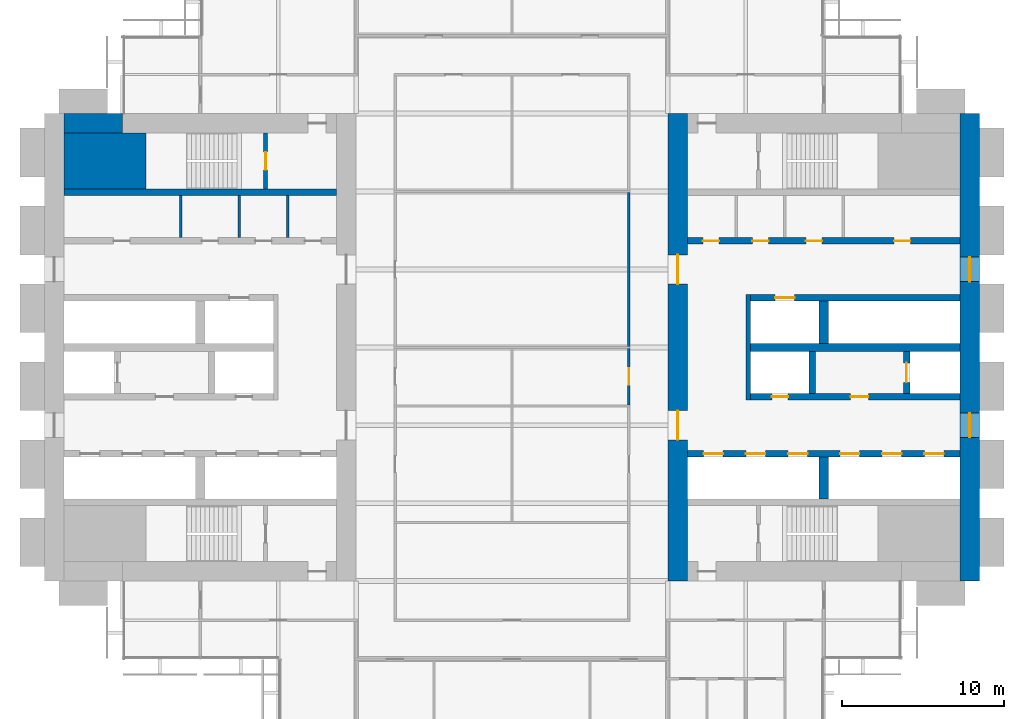
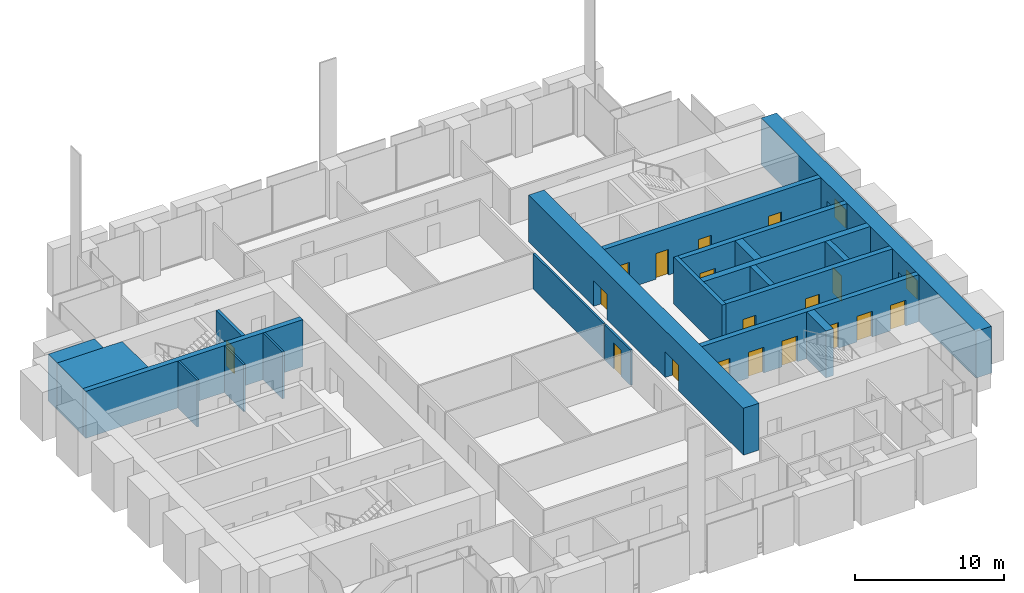
# One storey, part 11 of 14: 21 walls, 18 doors, 2 windows, 20 openings.
"""IFC4 building model written with IfcOpenShell, lengths in metres."""

from ifc_helpers import new_model, si_unit, direction, frame, frame_2d, origin, place, context, subcontext, project, spatial, rectangle, extrude, material, layer, layer_set, type_object, element, fill, save


model = new_model("IFC4")

# Units and contexts
model_context = context("Model", 3, precision=1e-05, world=origin(), true_north=direction((0.0, 1.0)))
body_context = subcontext(model_context, "Body", "Model", "MODEL_VIEW")
ifc_project = project(units=[si_unit("LENGTHUNIT", "METRE"), si_unit("AREAUNIT", "SQUARE_METRE"), si_unit("VOLUMEUNIT", "CUBIC_METRE"), si_unit("PLANEANGLEUNIT", "RADIAN"), si_unit("MASSUNIT", "GRAM", prefix="KILO")], contexts=[model_context])

# Site, building, storey
site_placement = place(None, origin())
site = spatial("IfcSite", under=ifc_project, at=site_placement, CompositionType="ELEMENT")
building_placement = place(site_placement, origin())
building = spatial("IfcBuilding", under=site, at=building_placement, Name="Baori Bourse Tower", CompositionType="ELEMENT")
storey_placement = place(building_placement, frame((0.0, 0.0, 51.0)))
storey = spatial("IfcBuildingStorey", under=building, at=storey_placement, Name="L10", CompositionType="ELEMENT", Elevation=51.0)

# Walls
ifc_material_1 = material(Name="Concrete f'c 70 MPa", Category="concrete")
wall_type_1 = type_object("IfcWallType", Name="Core corner block f'c 70", PredefinedType="SHEAR", material=ifc_material_1)
wall_1_placement = place(storey_placement, frame((1.199951171875, 35.47509765625, 0.0), z_axis=(0.0, 0.0, 1.0), x_axis=(1.0, 0.0, 0.0)))
element("IfcWall", 1, at=wall_1_placement, inside=storey, type_object=wall_type_1, Name="Core wall W22", PredefinedType="SHEAR", context=body_context, shape_type="SweptSolid", body=[
    extrude(rectangle(XDim=5.050048828125, YDim=3.449951171875, at=frame_2d((2.52490234375, 0.0))), origin(), (0.0, 0.0, 1.0), 3.840087890625),
])
ifc_material_2 = material(Name="Blockwork partition", Category="masonry")
ifc_layer_1 = layer(ifc_material_2, 0.14990234375)
ifc_layer_set_1 = layer_set([ifc_layer_1], Name="Core partition 150")
wall_type_2 = type_object("IfcWallType", Name="Core partition 150", PredefinedType="PARTITIONING", material=ifc_layer_set_1)
for number, where, z_axis, x_axis, name in (
    (2, (8.39990234375, 30.75, 0.0), (0.0, 0.0, 1.0), (0.0, 1.0, 0.0), "Partition wall W18"),
    (3, (12.0, 30.75, 0.0), (0.0, 0.0, 1.0), (0.0, 1.0, 0.0), "Partition wall W19"),
    (4, (15.0, 30.75, 0.0), (0.0, 0.0, 1.0), (0.0, 1.0, 0.0), "Partition wall W20"),
):
    element("IfcWall", number, at=place(storey_placement, frame(where, z_axis=z_axis, x_axis=x_axis)), inside=storey, type_object=wall_type_2, Name=name, PredefinedType="PARTITIONING", context=body_context, shape_type="SweptSolid", body=[
        extrude(rectangle(XDim=2.60009765625, YDim=0.14990234375, at=frame_2d((1.300048828125, 0.0))), origin(), (0.0, 0.0, 1.0), 3.840087890625),
    ])
ifc_material_3 = material(Name="Concrete f'c 70 MPa", Category="concrete")
ifc_layer_2 = layer(ifc_material_3, 1.199951171875)
ifc_layer_set_2 = layer_set([ifc_layer_2], Name="Core wall 1200 f'c 70")
wall_type_3 = type_object("IfcWallType", Name="Core wall 1200 f'c 70", PredefinedType="SHEAR", material=ifc_layer_set_2)
wall_2_placement = place(storey_placement, frame((1.199951171875, 37.800048828125, 0.0), z_axis=(0.0, 0.0, 1.0), x_axis=(1.0, 0.0, 0.0)))
element("IfcWall", 5, at=wall_2_placement, inside=storey, type_object=wall_type_3, Name="Core wall W24", PredefinedType="SHEAR", context=body_context, shape_type="SweptSolid", body=[
    extrude(rectangle(XDim=3.60009765625, YDim=1.199951171875, at=frame_2d((1.800048828125, 0.0))), origin(), (0.0, 0.0, 1.0), 3.840087890625),
])

# Wall, openings, windows
wall_3_placement = place(storey_placement, frame((57.0, 38.39990234375, 0.0), z_axis=(0.0, 0.0, 1.0), x_axis=(0.0, -1.0, 0.0)))
wall_3 = element("IfcWall", 6, at=wall_3_placement, inside=storey, type_object=wall_type_3, Name="Core wall E01", PredefinedType="SHEAR", context=body_context, shape_type="SweptSolid", body=[
    extrude(rectangle(XDim=28.7998046875, YDim=1.199951171875, at=frame_2d((14.39990234375, 0.0))), origin(), (0.0, 0.0, 1.0), 3.840087890625),
])
opening_1_placement = place(wall_3_placement, frame((18.449951171875, 0.0, 0.89990234375)))
opening_1 = element("IfcOpeningElement", 7, at=opening_1_placement, cuts=wall_3, Name="Opening L10-KW201", PredefinedType="OPENING", context=body_context, shape_type="SweptSolid", body=[
    extrude(rectangle(XDim=1.5, YDim=1.5, at=frame_2d((0.75, 0.75))), frame((0.0, 0.60986328125, 0.0), z_axis=(0.0, -1.0, 0.0), x_axis=(1.0, 0.0, 0.0)), (0.0, 0.0, 1.0), 1.219970703125),
])
opening_2_placement = place(wall_3_placement, frame((8.85009765625, 0.0, 0.89990234375)))
opening_2 = element("IfcOpeningElement", 8, at=opening_2_placement, cuts=wall_3, Name="Opening L10-KW202", PredefinedType="OPENING", context=body_context, shape_type="SweptSolid", body=[
    extrude(rectangle(XDim=1.5, YDim=1.5, at=frame_2d((0.75, 0.75))), frame((0.0, 0.60986328125, 0.0), z_axis=(0.0, -1.0, 0.0), x_axis=(1.0, 0.0, 0.0)), (0.0, 0.0, 1.0), 1.219970703125),
])
ifc_material_4 = material(Name="Pale anodised aluminium", Category="aluminium")
window_type = type_object("IfcWindowType", Name="Lobby window 1500 x 1500", PartitioningType="SINGLE_PANEL", PredefinedType="WINDOW", material=ifc_material_4)
window_1_placement = place(opening_1_placement, origin())
window_1 = element("IfcWindow", 9, at=window_1_placement, inside=storey, type_object=window_type, Name="Outer wall window E L10 1", OverallHeight=1.5, OverallWidth=1.5, PartitioningType="SINGLE_PANEL", PredefinedType="WINDOW", context=body_context, shape_type="SweptSolid", body=[
    extrude(rectangle(XDim=1.5, YDim=1.5, at=frame_2d((0.75, 0.75))), frame((0.0, 0.030029296875, 0.0), z_axis=(0.0, -1.0, 0.0), x_axis=(1.0, 0.0, 0.0)), (0.0, 0.0, 1.0), 0.06005859375),
])
fill(opening_1, window_1)
window_2_placement = place(opening_2_placement, origin())
window_2 = element("IfcWindow", 10, at=window_2_placement, inside=storey, type_object=window_type, Name="Outer wall window E L10 2", OverallHeight=1.5, OverallWidth=1.5, PartitioningType="SINGLE_PANEL", PredefinedType="WINDOW", context=body_context, shape_type="SweptSolid", body=[
    extrude(rectangle(XDim=1.5, YDim=1.5, at=frame_2d((0.75, 0.75))), frame((0.0, 0.030029296875, 0.0), z_axis=(0.0, -1.0, 0.0), x_axis=(1.0, 0.0, 0.0)), (0.0, 0.0, 1.0), 0.06005859375),
])
fill(opening_2, window_2)

# Wall, openings, doors
wall_4_placement = place(storey_placement, frame((39.0, 9.60009765625, 0.0), z_axis=(0.0, 0.0, 1.0), x_axis=(0.0, 1.0, 0.0)))
wall_4 = element("IfcWall", 11, at=wall_4_placement, inside=storey, type_object=wall_type_3, Name="Core wall E04", PredefinedType="SHEAR", context=body_context, shape_type="SweptSolid", body=[
    extrude(rectangle(XDim=28.7998046875, YDim=1.199951171875, at=frame_2d((14.39990234375, 0.0))), origin(), (0.0, 0.0, 1.0), 3.840087890625),
])
opening_3_placement = place(wall_4_placement, frame((8.699951171875, 0.0, 0.0)))
opening_3 = element("IfcOpeningElement", 12, at=opening_3_placement, cuts=wall_4, Name="Opening L10-D207", PredefinedType="OPENING", context=body_context, shape_type="SweptSolid", body=[
    extrude(rectangle(XDim=1.800048828125, YDim=2.10009765625, at=frame_2d((0.89990234375, 1.050048828125))), frame((0.0, 0.60986328125, 0.0), z_axis=(0.0, -1.0, 0.0), x_axis=(1.0, 0.0, 0.0)), (0.0, 0.0, 1.0), 1.219970703125),
])
opening_4_placement = place(wall_4_placement, frame((18.300048828125, 0.0, 0.0)))
opening_4 = element("IfcOpeningElement", 13, at=opening_4_placement, cuts=wall_4, Name="Opening L10-D208", PredefinedType="OPENING", context=body_context, shape_type="SweptSolid", body=[
    extrude(rectangle(XDim=1.800048828125, YDim=2.10009765625, at=frame_2d((0.89990234375, 1.050048828125))), frame((0.0, 0.60986328125, 0.0), z_axis=(0.0, -1.0, 0.0), x_axis=(1.0, 0.0, 0.0)), (0.0, 0.0, 1.0), 1.219970703125),
])
ifc_material_5 = material(Name="Painted steel door", Category="steel")
door_type_1 = type_object("IfcDoorType", Name="Core lobby door 1800", OperationType="DOUBLE_DOOR_SINGLE_SWING", PredefinedType="DOOR", material=ifc_material_5)
door_1_placement = place(opening_3_placement, origin())
door_1 = element("IfcDoor", 14, at=door_1_placement, inside=storey, type_object=door_type_1, Name="Lobby door E L10", OperationType="DOUBLE_DOOR_SINGLE_SWING", OverallHeight=2.10009765625, OverallWidth=1.800048828125, PredefinedType="DOOR", context=body_context, shape_type="SweptSolid", body=[
    extrude(rectangle(XDim=1.800048828125, YDim=2.10009765625, at=frame_2d((0.89990234375, 1.050048828125))), frame((0.0, 0.02490234375, 0.0), z_axis=(0.0, -1.0, 0.0), x_axis=(1.0, 0.0, 0.0)), (0.0, 0.0, 1.0), 0.050048828125),
])
fill(opening_3, door_1)
door_2_placement = place(opening_4_placement, origin())
door_2 = element("IfcDoor", 15, at=door_2_placement, inside=storey, type_object=door_type_1, Name="Lobby door E L10", OperationType="DOUBLE_DOOR_SINGLE_SWING", OverallHeight=2.10009765625, OverallWidth=1.800048828125, PredefinedType="DOOR", context=body_context, shape_type="SweptSolid", body=[
    extrude(rectangle(XDim=1.800048828125, YDim=2.10009765625, at=frame_2d((0.89990234375, 1.050048828125))), frame((0.0, 0.02490234375, 0.0), z_axis=(0.0, -1.0, 0.0), x_axis=(1.0, 0.0, 0.0)), (0.0, 0.0, 1.0), 0.050048828125),
])
fill(opening_4, door_2)

# Wall, opening, door
ifc_material_6 = material(Name="Gypsum board partition")
ifc_layer_3 = layer(ifc_material_6, 0.14990234375)
ifc_layer_set_3 = layer_set([ifc_layer_3], Name="Corridor partition 150")
wall_type_4 = type_object("IfcWallType", Name="Corridor partition 150", PredefinedType="PARTITIONING", material=ifc_layer_set_3)
wall_5_placement = place(storey_placement, frame((36.0, 20.46240234375, 0.0), z_axis=(0.0, 0.0, 1.0), x_axis=(0.0, 1.0, 0.0)))
wall_5 = element("IfcWall", 16, at=wall_5_placement, inside=storey, type_object=wall_type_4, Name="Partition", PredefinedType="PARTITIONING", context=body_context, shape_type="SweptSolid", body=[
    extrude(rectangle(XDim=3.47509765625, YDim=0.14990234375, at=frame_2d((1.737548828125, 0.0))), origin(), (0.0, 0.0, 1.0), 2.86962890625),
])
opening_5_placement = place(wall_5_placement, frame((1.237548828125, 0.0, 0.0)))
opening_5 = element("IfcOpeningElement", 17, at=opening_5_placement, cuts=wall_5, Name="Opening L10-D23", PredefinedType="OPENING", context=body_context, shape_type="SweptSolid", body=[
    extrude(rectangle(XDim=1.0, YDim=2.10009765625, at=frame_2d((0.5, 1.050048828125))), frame((0.0, 0.0849609375, 0.0), z_axis=(0.0, -1.0, 0.0), x_axis=(1.0, 0.0, 0.0)), (0.0, 0.0, 1.0), 0.169921875),
])
ifc_material_7 = material(Name="Timber door leaf", Category="wood")
door_type_2 = type_object("IfcDoorType", Name="Door 1000 x 2100", OperationType="SINGLE_SWING_LEFT", PredefinedType="DOOR", material=ifc_material_7)
door_3_placement = place(opening_5_placement, origin())
door_3 = element("IfcDoor", 18, at=door_3_placement, inside=storey, type_object=door_type_2, Name="Door", OperationType="SINGLE_SWING_RIGHT", OverallHeight=2.10009765625, OverallWidth=1.0, PredefinedType="DOOR", context=body_context, shape_type="SweptSolid", body=[
    extrude(rectangle(XDim=1.0, YDim=2.10009765625, at=frame_2d((0.5, 1.050048828125))), frame((0.0, 0.02490234375, 0.0), z_axis=(0.0, -1.0, 0.0), x_axis=(1.0, 0.0, 0.0)), (0.0, 0.0, 1.0), 0.050048828125),
])
fill(opening_5, door_3)

# Wall
wall_6_placement = place(storey_placement, frame((36.0, 24.0625, 0.0), z_axis=(0.0, 0.0, 1.0), x_axis=(0.0, 1.0, 0.0)))
element("IfcWall", 19, at=wall_6_placement, inside=storey, type_object=wall_type_4, Name="Partition", PredefinedType="PARTITIONING", context=body_context, shape_type="SweptSolid", body=[
    extrude(rectangle(XDim=9.47509765625, YDim=0.14990234375, at=frame_2d((4.737548828125, 0.0))), origin(), (0.0, 0.0, 1.0), 2.86962890625),
])

# Wall, opening, door
ifc_material_8 = material(Name="Concrete f'c 70 MPa", Category="concrete")
ifc_layer_4 = layer(ifc_material_8, 0.25)
ifc_layer_set_4 = layer_set([ifc_layer_4], Name="Shaft wall 250 f'c 70")
wall_type_5 = type_object("IfcWallType", Name="Shaft wall 250 f'c 70", PredefinedType="SHEAR", material=ifc_layer_set_4)
wall_7_placement = place(storey_placement, frame((13.625, 33.75, 0.0), z_axis=(0.0, 0.0, 1.0), x_axis=(0.0, 1.0, 0.0)))
wall_7 = element("IfcWall", 20, at=wall_7_placement, inside=storey, type_object=wall_type_5, Name="Core wall W23", PredefinedType="SHEAR", context=body_context, shape_type="SweptSolid", body=[
    extrude(rectangle(XDim=3.449951171875, YDim=0.25, at=frame_2d((1.72509765625, 0.0))), origin(), (0.0, 0.0, 1.0), 3.840087890625),
])
opening_6_placement = place(wall_7_placement, frame((1.175048828125, 0.0, 0.0)))
opening_6 = element("IfcOpeningElement", 21, at=opening_6_placement, cuts=wall_7, Name="Opening L10-D103", PredefinedType="OPENING", context=body_context, shape_type="SweptSolid", body=[
    extrude(rectangle(XDim=1.10009765625, YDim=2.10009765625, at=frame_2d((0.550048828125, 1.050048828125))), frame((0.0, 0.135009765625, 0.0), z_axis=(0.0, -1.0, 0.0), x_axis=(1.0, 0.0, 0.0)), (0.0, 0.0, 1.0), 0.27001953125),
])
ifc_material_9 = material(Name="Painted steel door", Category="steel")
door_type_3 = type_object("IfcDoorType", Name="Stair door 1100", OperationType="SINGLE_SWING_LEFT", PredefinedType="DOOR", material=ifc_material_9)
door_4_placement = place(opening_6_placement, origin())
door_4 = element("IfcDoor", 22, at=door_4_placement, inside=storey, type_object=door_type_3, Name="Stair door B W L10", OperationType="SINGLE_SWING_LEFT", OverallHeight=2.10009765625, OverallWidth=1.10009765625, PredefinedType="DOOR", context=body_context, shape_type="SweptSolid", body=[
    extrude(rectangle(XDim=1.10009765625, YDim=2.10009765625, at=frame_2d((0.550048828125, 1.050048828125))), frame((0.0, 0.02490234375, 0.0), z_axis=(0.0, -1.0, 0.0), x_axis=(1.0, 0.0, 0.0)), (0.0, 0.0, 1.0), 0.050048828125),
])
fill(opening_6, door_4)

# Walls
ifc_material_10 = material(Name="Concrete f'c 70 MPa", Category="concrete")
ifc_layer_5 = layer(ifc_material_10, 0.300048828125)
ifc_layer_set_5 = layer_set([ifc_layer_5], Name="Shaft wall 300 f'c 70")
wall_type_6 = type_object("IfcWallType", Name="Shaft wall 300 f'c 70", PredefinedType="SHEAR", material=ifc_layer_set_5)
wall_8_placement = place(storey_placement, frame((43.35009765625, 20.75, 0.0), z_axis=(0.0, 0.0, 1.0), x_axis=(0.0, 1.0, 0.0)))
element("IfcWall", 23, at=wall_8_placement, inside=storey, type_object=wall_type_6, Name="Core wall E11", PredefinedType="SHEAR", context=body_context, shape_type="SweptSolid", body=[
    extrude(rectangle(XDim=6.5, YDim=0.300048828125, at=frame_2d((3.25, 0.0))), origin(), (0.0, 0.0, 1.0), 3.840087890625),
])
ifc_material_11 = material(Name="Concrete f'c 70 MPa", Category="concrete")
ifc_layer_6 = layer(ifc_material_11, 0.39990234375)
ifc_layer_set_6 = layer_set([ifc_layer_6], Name="Shaft wall 400 f'c 70")
wall_type_7 = type_object("IfcWallType", Name="Shaft wall 400 f'c 70", PredefinedType="SHEAR", material=ifc_layer_set_6)
wall_9_placement = place(storey_placement, frame((1.199951171875, 33.550048828125, 0.0), z_axis=(0.0, 0.0, 1.0), x_axis=(1.0, 0.0, 0.0)))
element("IfcWall", 24, at=wall_9_placement, inside=storey, type_object=wall_type_7, Name="Core wall W21", PredefinedType="SHEAR", context=body_context, shape_type="SweptSolid", body=[
    extrude(rectangle(XDim=16.800048828125, YDim=0.39990234375, at=frame_2d((8.39990234375, 0.0))), origin(), (0.0, 0.0, 1.0), 3.840087890625),
])

# Wall, openings, doors
wall_10_placement = place(storey_placement, frame((39.60009765625, 17.449951171875, 0.0), z_axis=(0.0, 0.0, 1.0), x_axis=(1.0, 0.0, 0.0)))
wall_10 = element("IfcWall", 25, at=wall_10_placement, inside=storey, type_object=wall_type_7, Name="Core wall E09", PredefinedType="SHEAR", context=body_context, shape_type="SweptSolid", body=[
    extrude(rectangle(XDim=16.7998046875, YDim=0.39990234375, at=frame_2d((8.39990234375, 0.0))), origin(), (0.0, 0.0, 1.0), 3.840087890625),
])
opening_7_placement = place(wall_10_placement, frame((14.60009765625, 0.0, 0.0)))
opening_7 = element("IfcOpeningElement", 26, at=opening_7_placement, cuts=wall_10, Name="Opening L10-D213", PredefinedType="OPENING", context=body_context, shape_type="SweptSolid", body=[
    extrude(rectangle(XDim=1.199951171875, YDim=2.10009765625, at=frame_2d((0.60009765625, 1.050048828125))), frame((0.0, 0.2099609375, 0.0), z_axis=(0.0, -1.0, 0.0), x_axis=(1.0, 0.0, 0.0)), (0.0, 0.0, 1.0), 0.419921875),
])
opening_8_placement = place(wall_10_placement, frame((12.0, 0.0, 0.0)))
opening_8 = element("IfcOpeningElement", 27, at=opening_8_placement, cuts=wall_10, Name="Opening L10-D214", PredefinedType="OPENING", context=body_context, shape_type="SweptSolid", body=[
    extrude(rectangle(XDim=1.199951171875, YDim=2.10009765625, at=frame_2d((0.60009765625, 1.050048828125))), frame((0.0, 0.2099609375, 0.0), z_axis=(0.0, -1.0, 0.0), x_axis=(1.0, 0.0, 0.0)), (0.0, 0.0, 1.0), 0.419921875),
])
opening_9_placement = place(wall_10_placement, frame((9.39990234375, 0.0, 0.0)))
opening_9 = element("IfcOpeningElement", 28, at=opening_9_placement, cuts=wall_10, Name="Opening L10-D215", PredefinedType="OPENING", context=body_context, shape_type="SweptSolid", body=[
    extrude(rectangle(XDim=1.199951171875, YDim=2.10009765625, at=frame_2d((0.60009765625, 1.050048828125))), frame((0.0, 0.2099609375, 0.0), z_axis=(0.0, -1.0, 0.0), x_axis=(1.0, 0.0, 0.0)), (0.0, 0.0, 1.0), 0.419921875),
])
opening_10_placement = place(wall_10_placement, frame((6.199951171875, 0.0, 0.0)))
opening_10 = element("IfcOpeningElement", 29, at=opening_10_placement, cuts=wall_10, Name="Opening L10-D216", PredefinedType="OPENING", context=body_context, shape_type="SweptSolid", body=[
    extrude(rectangle(XDim=1.199951171875, YDim=2.10009765625, at=frame_2d((0.60009765625, 1.050048828125))), frame((0.0, 0.2099609375, 0.0), z_axis=(0.0, -1.0, 0.0), x_axis=(1.0, 0.0, 0.0)), (0.0, 0.0, 1.0), 0.419921875),
])
opening_11_placement = place(wall_10_placement, frame((3.60009765625, 0.0, 0.0)))
opening_11 = element("IfcOpeningElement", 30, at=opening_11_placement, cuts=wall_10, Name="Opening L10-D217", PredefinedType="OPENING", context=body_context, shape_type="SweptSolid", body=[
    extrude(rectangle(XDim=1.199951171875, YDim=2.10009765625, at=frame_2d((0.60009765625, 1.050048828125))), frame((0.0, 0.2099609375, 0.0), z_axis=(0.0, -1.0, 0.0), x_axis=(1.0, 0.0, 0.0)), (0.0, 0.0, 1.0), 0.419921875),
])
opening_12_placement = place(wall_10_placement, frame((1.0, 0.0, 0.0)))
opening_12 = element("IfcOpeningElement", 31, at=opening_12_placement, cuts=wall_10, Name="Opening L10-D218", PredefinedType="OPENING", context=body_context, shape_type="SweptSolid", body=[
    extrude(rectangle(XDim=1.199951171875, YDim=2.10009765625, at=frame_2d((0.60009765625, 1.050048828125))), frame((0.0, 0.2099609375, 0.0), z_axis=(0.0, -1.0, 0.0), x_axis=(1.0, 0.0, 0.0)), (0.0, 0.0, 1.0), 0.419921875),
])
ifc_material_12 = material(Name="Stainless steel door", Category="steel")
door_type_4 = type_object("IfcDoorType", Name="Lift landing door", OperationType="DOUBLE_DOOR_SLIDING", PredefinedType="DOOR", material=ifc_material_12)
door_5_placement = place(opening_7_placement, origin())
door_5 = element("IfcDoor", 32, at=door_5_placement, inside=storey, type_object=door_type_4, Name="Lift landing door LR1 E L10", OperationType="DOUBLE_DOOR_SLIDING", OverallHeight=2.10009765625, OverallWidth=1.199951171875, PredefinedType="DOOR", context=body_context, shape_type="SweptSolid", body=[
    extrude(rectangle(XDim=1.199951171875, YDim=2.10009765625, at=frame_2d((0.60009765625, 1.050048828125))), frame((0.0, 0.02490234375, 0.0), z_axis=(0.0, -1.0, 0.0), x_axis=(1.0, 0.0, 0.0)), (0.0, 0.0, 1.0), 0.050048828125),
])
fill(opening_7, door_5)
door_6_placement = place(opening_8_placement, origin())
door_6 = element("IfcDoor", 33, at=door_6_placement, inside=storey, type_object=door_type_4, Name="Lift landing door LR2 E L10", OperationType="DOUBLE_DOOR_SLIDING", OverallHeight=2.10009765625, OverallWidth=1.199951171875, PredefinedType="DOOR", context=body_context, shape_type="SweptSolid", body=[
    extrude(rectangle(XDim=1.199951171875, YDim=2.10009765625, at=frame_2d((0.60009765625, 1.050048828125))), frame((0.0, 0.02490234375, 0.0), z_axis=(0.0, -1.0, 0.0), x_axis=(1.0, 0.0, 0.0)), (0.0, 0.0, 1.0), 0.050048828125),
])
fill(opening_8, door_6)
door_7_placement = place(opening_9_placement, origin())
door_7 = element("IfcDoor", 34, at=door_7_placement, inside=storey, type_object=door_type_4, Name="Lift landing door LR3 E L10", OperationType="DOUBLE_DOOR_SLIDING", OverallHeight=2.10009765625, OverallWidth=1.199951171875, PredefinedType="DOOR", context=body_context, shape_type="SweptSolid", body=[
    extrude(rectangle(XDim=1.199951171875, YDim=2.10009765625, at=frame_2d((0.60009765625, 1.050048828125))), frame((0.0, 0.02490234375, 0.0), z_axis=(0.0, -1.0, 0.0), x_axis=(1.0, 0.0, 0.0)), (0.0, 0.0, 1.0), 0.050048828125),
])
fill(opening_9, door_7)
door_8_placement = place(opening_10_placement, origin())
door_8 = element("IfcDoor", 35, at=door_8_placement, inside=storey, type_object=door_type_4, Name="Lift landing door LR4 E L10", OperationType="DOUBLE_DOOR_SLIDING", OverallHeight=2.10009765625, OverallWidth=1.199951171875, PredefinedType="DOOR", context=body_context, shape_type="SweptSolid", body=[
    extrude(rectangle(XDim=1.199951171875, YDim=2.10009765625, at=frame_2d((0.60009765625, 1.050048828125))), frame((0.0, 0.02490234375, 0.0), z_axis=(0.0, -1.0, 0.0), x_axis=(1.0, 0.0, 0.0)), (0.0, 0.0, 1.0), 0.050048828125),
])
fill(opening_10, door_8)
door_9_placement = place(opening_11_placement, origin())
door_9 = element("IfcDoor", 36, at=door_9_placement, inside=storey, type_object=door_type_4, Name="Lift landing door LR5 E L10", OperationType="DOUBLE_DOOR_SLIDING", OverallHeight=2.10009765625, OverallWidth=1.199951171875, PredefinedType="DOOR", context=body_context, shape_type="SweptSolid", body=[
    extrude(rectangle(XDim=1.199951171875, YDim=2.10009765625, at=frame_2d((0.60009765625, 1.050048828125))), frame((0.0, 0.02490234375, 0.0), z_axis=(0.0, -1.0, 0.0), x_axis=(1.0, 0.0, 0.0)), (0.0, 0.0, 1.0), 0.050048828125),
])
fill(opening_11, door_9)
door_10_placement = place(opening_12_placement, origin())
door_10 = element("IfcDoor", 37, at=door_10_placement, inside=storey, type_object=door_type_4, Name="Lift landing door LR6 E L10", OperationType="DOUBLE_DOOR_SLIDING", OverallHeight=2.10009765625, OverallWidth=1.199951171875, PredefinedType="DOOR", context=body_context, shape_type="SweptSolid", body=[
    extrude(rectangle(XDim=1.199951171875, YDim=2.10009765625, at=frame_2d((0.60009765625, 1.050048828125))), frame((0.0, 0.02490234375, 0.0), z_axis=(0.0, -1.0, 0.0), x_axis=(1.0, 0.0, 0.0)), (0.0, 0.0, 1.0), 0.050048828125),
])
fill(opening_12, door_10)

wall_11_placement = place(storey_placement, frame((43.5, 20.949951171875, 0.0), z_axis=(0.0, 0.0, 1.0), x_axis=(1.0, 0.0, 0.0)))
wall_11 = element("IfcWall", 38, at=wall_11_placement, inside=storey, type_object=wall_type_7, Name="Core wall E10", PredefinedType="SHEAR", context=body_context, shape_type="SweptSolid", body=[
    extrude(rectangle(XDim=12.89990234375, YDim=0.39990234375, at=frame_2d((6.449951171875, 0.0))), origin(), (0.0, 0.0, 1.0), 3.840087890625),
])
opening_13_placement = place(wall_11_placement, frame((6.14990234375, 0.0, 0.0)))
opening_13 = element("IfcOpeningElement", 39, at=opening_13_placement, cuts=wall_11, Name="Opening L10-D205", PredefinedType="OPENING", context=body_context, shape_type="SweptSolid", body=[
    extrude(rectangle(XDim=1.10009765625, YDim=2.10009765625, at=frame_2d((0.550048828125, 1.050048828125))), frame((0.0, 0.2099609375, 0.0), z_axis=(0.0, -1.0, 0.0), x_axis=(1.0, 0.0, 0.0)), (0.0, 0.0, 1.0), 0.419921875),
])
opening_14_placement = place(wall_11_placement, frame((1.300048828125, 0.0, 0.0)))
opening_14 = element("IfcOpeningElement", 40, at=opening_14_placement, cuts=wall_11, Name="Opening L10-D206", PredefinedType="OPENING", context=body_context, shape_type="SweptSolid", body=[
    extrude(rectangle(XDim=1.0, YDim=2.10009765625, at=frame_2d((0.5, 1.050048828125))), frame((0.0, 0.2099609375, 0.0), z_axis=(0.0, -1.0, 0.0), x_axis=(1.0, 0.0, 0.0)), (0.0, 0.0, 1.0), 0.419921875),
])
ifc_material_13 = material(Name="Painted steel door", Category="steel")
door_type_5 = type_object("IfcDoorType", Name="Lobby door 1100", OperationType="SINGLE_SWING_LEFT", PredefinedType="DOOR", material=ifc_material_13)
door_11_placement = place(opening_13_placement, origin())
door_11 = element("IfcDoor", 41, at=door_11_placement, inside=storey, type_object=door_type_5, Name="Firefighting lobby door E L10", OperationType="SINGLE_SWING_LEFT", OverallHeight=2.10009765625, OverallWidth=1.10009765625, PredefinedType="DOOR", context=body_context, shape_type="SweptSolid", body=[
    extrude(rectangle(XDim=1.10009765625, YDim=2.10009765625, at=frame_2d((0.550048828125, 1.050048828125))), frame((0.0, 0.02490234375, 0.0), z_axis=(0.0, -1.0, 0.0), x_axis=(1.0, 0.0, 0.0)), (0.0, 0.0, 1.0), 0.050048828125),
])
fill(opening_13, door_11)
ifc_material_14 = material(Name="Painted steel door", Category="steel")
door_type_6 = type_object("IfcDoorType", Name="Shaft door 1000", OperationType="SINGLE_SWING_LEFT", PredefinedType="DOOR", material=ifc_material_14)
door_12_placement = place(opening_14_placement, origin())
door_12 = element("IfcDoor", 42, at=door_12_placement, inside=storey, type_object=door_type_6, Name="Riser room door E L10", OperationType="SINGLE_SWING_LEFT", OverallHeight=2.10009765625, OverallWidth=1.0, PredefinedType="DOOR", context=body_context, shape_type="SweptSolid", body=[
    extrude(rectangle(XDim=1.0, YDim=2.10009765625, at=frame_2d((0.5, 1.050048828125))), frame((0.0, 0.02490234375, 0.0), z_axis=(0.0, -1.0, 0.0), x_axis=(1.0, 0.0, 0.0)), (0.0, 0.0, 1.0), 0.050048828125),
])
fill(opening_14, door_12)

# Wall, opening, door
wall_12_placement = place(storey_placement, frame((53.10009765625, 21.14990234375, 0.0), z_axis=(0.0, 0.0, 1.0), x_axis=(0.0, 1.0, 0.0)))
wall_12 = element("IfcWall", 43, at=wall_12_placement, inside=storey, type_object=wall_type_7, Name="Core wall E12", PredefinedType="SHEAR", context=body_context, shape_type="SweptSolid", body=[
    extrude(rectangle(XDim=2.60009765625, YDim=0.39990234375, at=frame_2d((1.300048828125, 0.0))), origin(), (0.0, 0.0, 1.0), 3.840087890625),
])
opening_15_placement = place(wall_12_placement, frame((0.699951171875, 0.0, 0.0)))
opening_15 = element("IfcOpeningElement", 44, at=opening_15_placement, cuts=wall_12, Name="Opening L10-D220", PredefinedType="OPENING", context=body_context, shape_type="SweptSolid", body=[
    extrude(rectangle(XDim=1.199951171875, YDim=2.10009765625, at=frame_2d((0.60009765625, 1.050048828125))), frame((0.0, 0.2099609375, 0.0), z_axis=(0.0, -1.0, 0.0), x_axis=(1.0, 0.0, 0.0)), (0.0, 0.0, 1.0), 0.419921875),
])
door_13_placement = place(opening_15_placement, origin())
door_13 = element("IfcDoor", 45, at=door_13_placement, inside=storey, type_object=door_type_4, Name="Lift landing door FF2 E L10", OperationType="DOUBLE_DOOR_SLIDING", OverallHeight=2.10009765625, OverallWidth=1.199951171875, PredefinedType="DOOR", context=body_context, shape_type="SweptSolid", body=[
    extrude(rectangle(XDim=1.199951171875, YDim=2.10009765625, at=frame_2d((0.60009765625, 1.050048828125))), frame((0.0, 0.02490234375, 0.0), z_axis=(0.0, -1.0, 0.0), x_axis=(1.0, 0.0, 0.0)), (0.0, 0.0, 1.0), 0.050048828125),
])
fill(opening_15, door_13)

# Wall
wall_13_placement = place(storey_placement, frame((47.300048828125, 21.14990234375, 0.0), z_axis=(0.0, 0.0, 1.0), x_axis=(0.0, 1.0, 0.0)))
element("IfcWall", 46, at=wall_13_placement, inside=storey, type_object=wall_type_7, Name="Core wall E13", PredefinedType="SHEAR", context=body_context, shape_type="SweptSolid", body=[
    extrude(rectangle(XDim=2.60009765625, YDim=0.39990234375, at=frame_2d((1.300048828125, 0.0))), origin(), (0.0, 0.0, 1.0), 3.840087890625),
])

# Wall, opening, door
wall_14_placement = place(storey_placement, frame((43.5, 27.050048828125, 0.0), z_axis=(0.0, 0.0, 1.0), x_axis=(1.0, 0.0, 0.0)))
wall_14 = element("IfcWall", 47, at=wall_14_placement, inside=storey, type_object=wall_type_7, Name="Core wall E16", PredefinedType="SHEAR", context=body_context, shape_type="SweptSolid", body=[
    extrude(rectangle(XDim=12.89990234375, YDim=0.39990234375, at=frame_2d((6.449951171875, 0.0))), origin(), (0.0, 0.0, 1.0), 3.840087890625),
])
opening_16_placement = place(wall_14_placement, frame((1.5, 0.0, 0.0)))
opening_16 = element("IfcOpeningElement", 48, at=opening_16_placement, cuts=wall_14, Name="Opening L10-D219", PredefinedType="OPENING", context=body_context, shape_type="SweptSolid", body=[
    extrude(rectangle(XDim=1.199951171875, YDim=2.10009765625, at=frame_2d((0.60009765625, 1.050048828125))), frame((0.0, 0.2099609375, 0.0), z_axis=(0.0, -1.0, 0.0), x_axis=(1.0, 0.0, 0.0)), (0.0, 0.0, 1.0), 0.419921875),
])
door_14_placement = place(opening_16_placement, origin())
door_14 = element("IfcDoor", 49, at=door_14_placement, inside=storey, type_object=door_type_4, Name="Lift landing door SV1 E L10", OperationType="DOUBLE_DOOR_SLIDING", OverallHeight=2.10009765625, OverallWidth=1.199951171875, PredefinedType="DOOR", context=body_context, shape_type="SweptSolid", body=[
    extrude(rectangle(XDim=1.199951171875, YDim=2.10009765625, at=frame_2d((0.60009765625, 1.050048828125))), frame((0.0, 0.02490234375, 0.0), z_axis=(0.0, -1.0, 0.0), x_axis=(1.0, 0.0, 0.0)), (0.0, 0.0, 1.0), 0.050048828125),
])
fill(opening_16, door_14)

# Wall, openings, doors
wall_15_placement = place(storey_placement, frame((39.60009765625, 30.550048828125, 0.0), z_axis=(0.0, 0.0, 1.0), x_axis=(1.0, 0.0, 0.0)))
wall_15 = element("IfcWall", 50, at=wall_15_placement, inside=storey, type_object=wall_type_7, Name="Core wall E17", PredefinedType="SHEAR", context=body_context, shape_type="SweptSolid", body=[
    extrude(rectangle(XDim=16.7998046875, YDim=0.39990234375, at=frame_2d((8.39990234375, 0.0))), origin(), (0.0, 0.0, 1.0), 3.840087890625),
])
opening_17_placement = place(wall_15_placement, frame((12.737548828125, 0.0, 0.0)))
opening_17 = element("IfcOpeningElement", 51, at=opening_17_placement, cuts=wall_15, Name="Opening L10-D209", PredefinedType="OPENING", context=body_context, shape_type="SweptSolid", body=[
    extrude(rectangle(XDim=1.0, YDim=2.10009765625, at=frame_2d((0.5, 1.050048828125))), frame((0.0, 0.2099609375, 0.0), z_axis=(0.0, -1.0, 0.0), x_axis=(1.0, 0.0, 0.0)), (0.0, 0.0, 1.0), 0.419921875),
])
opening_18_placement = place(wall_15_placement, frame((7.300048828125, 0.0, 0.0)))
opening_18 = element("IfcOpeningElement", 52, at=opening_18_placement, cuts=wall_15, Name="Opening L10-D210", PredefinedType="OPENING", context=body_context, shape_type="SweptSolid", body=[
    extrude(rectangle(XDim=1.0, YDim=2.10009765625, at=frame_2d((0.5, 1.050048828125))), frame((0.0, 0.2099609375, 0.0), z_axis=(0.0, -1.0, 0.0), x_axis=(1.0, 0.0, 0.0)), (0.0, 0.0, 1.0), 0.419921875),
])
opening_19_placement = place(wall_15_placement, frame((4.0, 0.0, 0.0)))
opening_19 = element("IfcOpeningElement", 53, at=opening_19_placement, cuts=wall_15, Name="Opening L10-D211", PredefinedType="OPENING", context=body_context, shape_type="SweptSolid", body=[
    extrude(rectangle(XDim=1.0, YDim=2.10009765625, at=frame_2d((0.5, 1.050048828125))), frame((0.0, 0.2099609375, 0.0), z_axis=(0.0, -1.0, 0.0), x_axis=(1.0, 0.0, 0.0)), (0.0, 0.0, 1.0), 0.419921875),
])
opening_20_placement = place(wall_15_placement, frame((0.96240234375, 0.0, 0.0)))
opening_20 = element("IfcOpeningElement", 54, at=opening_20_placement, cuts=wall_15, Name="Opening L10-D212", PredefinedType="OPENING", context=body_context, shape_type="SweptSolid", body=[
    extrude(rectangle(XDim=1.0, YDim=2.10009765625, at=frame_2d((0.5, 1.050048828125))), frame((0.0, 0.2099609375, 0.0), z_axis=(0.0, -1.0, 0.0), x_axis=(1.0, 0.0, 0.0)), (0.0, 0.0, 1.0), 0.419921875),
])
ifc_material_15 = material(Name="Painted steel door", Category="steel")
door_type_7 = type_object("IfcDoorType", Name="Core door 1000", OperationType="SINGLE_SWING_LEFT", PredefinedType="DOOR", material=ifc_material_15)
door_15_placement = place(opening_17_placement, origin())
door_15 = element("IfcDoor", 55, at=door_15_placement, inside=storey, type_object=door_type_7, Name="Men'S Wc door E L10", OperationType="SINGLE_SWING_LEFT", OverallHeight=2.10009765625, OverallWidth=1.0, PredefinedType="DOOR", context=body_context, shape_type="SweptSolid", body=[
    extrude(rectangle(XDim=1.0, YDim=2.10009765625, at=frame_2d((0.5, 1.050048828125))), frame((0.0, 0.02490234375, 0.0), z_axis=(0.0, -1.0, 0.0), x_axis=(1.0, 0.0, 0.0)), (0.0, 0.0, 1.0), 0.050048828125),
])
fill(opening_17, door_15)
door_16_placement = place(opening_18_placement, origin())
door_16 = element("IfcDoor", 56, at=door_16_placement, inside=storey, type_object=door_type_7, Name="Women'S Wc door E L10", OperationType="SINGLE_SWING_LEFT", OverallHeight=2.10009765625, OverallWidth=1.0, PredefinedType="DOOR", context=body_context, shape_type="SweptSolid", body=[
    extrude(rectangle(XDim=1.0, YDim=2.10009765625, at=frame_2d((0.5, 1.050048828125))), frame((0.0, 0.02490234375, 0.0), z_axis=(0.0, -1.0, 0.0), x_axis=(1.0, 0.0, 0.0)), (0.0, 0.0, 1.0), 0.050048828125),
])
fill(opening_18, door_16)
door_17_placement = place(opening_19_placement, origin())
door_17 = element("IfcDoor", 57, at=door_17_placement, inside=storey, type_object=door_type_7, Name="Accessible Wc door E L10", OperationType="SINGLE_SWING_LEFT", OverallHeight=2.10009765625, OverallWidth=1.0, PredefinedType="DOOR", context=body_context, shape_type="SweptSolid", body=[
    extrude(rectangle(XDim=1.0, YDim=2.10009765625, at=frame_2d((0.5, 1.050048828125))), frame((0.0, 0.02490234375, 0.0), z_axis=(0.0, -1.0, 0.0), x_axis=(1.0, 0.0, 0.0)), (0.0, 0.0, 1.0), 0.050048828125),
])
fill(opening_19, door_17)
ifc_material_16 = material(Name="Painted steel door", Category="steel")
door_type_8 = type_object("IfcDoorType", Name="Plant room door 1000", OperationType="SINGLE_SWING_LEFT", PredefinedType="DOOR", material=ifc_material_16)
door_18_placement = place(opening_20_placement, origin())
door_18 = element("IfcDoor", 58, at=door_18_placement, inside=storey, type_object=door_type_8, Name="Communications Room door E L10", OperationType="SINGLE_SWING_LEFT", OverallHeight=2.10009765625, OverallWidth=1.0, PredefinedType="DOOR", context=body_context, shape_type="SweptSolid", body=[
    extrude(rectangle(XDim=1.0, YDim=2.10009765625, at=frame_2d((0.5, 1.050048828125))), frame((0.0, 0.02490234375, 0.0), z_axis=(0.0, -1.0, 0.0), x_axis=(1.0, 0.0, 0.0)), (0.0, 0.0, 1.0), 0.050048828125),
])
fill(opening_20, door_18)

# Walls
ifc_material_17 = material(Name="Concrete f'c 70 MPa", Category="concrete")
ifc_layer_7 = layer(ifc_material_17, 0.5)
ifc_layer_set_7 = layer_set([ifc_layer_7], Name="Shaft wall 500 f'c 70")
wall_type_8 = type_object("IfcWallType", Name="Shaft wall 500 f'c 70", PredefinedType="SHEAR", material=ifc_layer_set_7)
wall_16_placement = place(storey_placement, frame((43.5, 24.0, 0.0), z_axis=(0.0, 0.0, 1.0), x_axis=(1.0, 0.0, 0.0)))
element("IfcWall", 59, at=wall_16_placement, inside=storey, type_object=wall_type_8, Name="Core wall E14", PredefinedType="SHEAR", context=body_context, shape_type="SweptSolid", body=[
    extrude(rectangle(XDim=12.89990234375, YDim=0.5, at=frame_2d((6.449951171875, 0.0))), origin(), (0.0, 0.0, 1.0), 3.840087890625),
])
ifc_material_18 = material(Name="Concrete f'c 70 MPa", Category="concrete")
ifc_layer_8 = layer(ifc_material_18, 0.60009765625)
ifc_layer_set_8 = layer_set([ifc_layer_8], Name="Shaft wall 600 f'c 70")
wall_type_9 = type_object("IfcWallType", Name="Shaft wall 600 f'c 70", PredefinedType="SHEAR", material=ifc_layer_set_8)
for number, where, z_axis, x_axis, name in (
    (60, (48.0, 14.64990234375, 0.0), (0.0, 0.0, 1.0), (0.0, 1.0, 0.0), "Core wall E08"),
    (61, (48.0, 24.25, 0.0), (0.0, 0.0, 1.0), (0.0, 1.0, 0.0), "Core wall E15"),
):
    element("IfcWall", number, at=place(storey_placement, frame(where, z_axis=z_axis, x_axis=x_axis)), inside=storey, type_object=wall_type_9, Name=name, PredefinedType="SHEAR", context=body_context, shape_type="SweptSolid", body=[
        extrude(rectangle(XDim=2.60009765625, YDim=0.60009765625, at=frame_2d((1.300048828125, 0.0))), origin(), (0.0, 0.0, 1.0), 3.840087890625),
    ])

save(model, "model.ifc")
